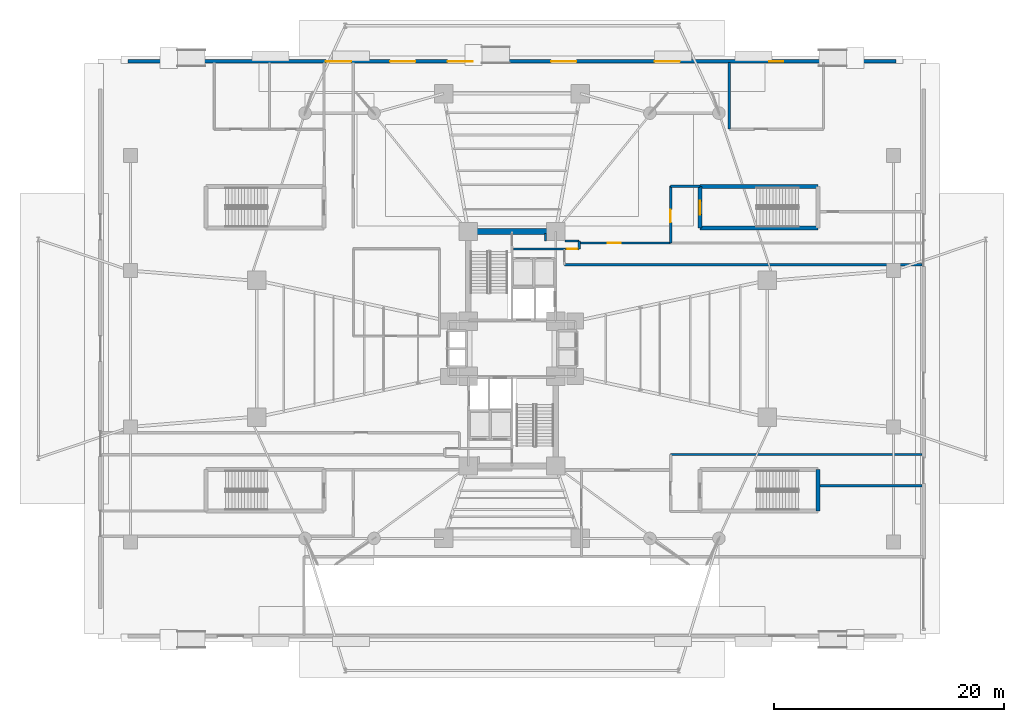
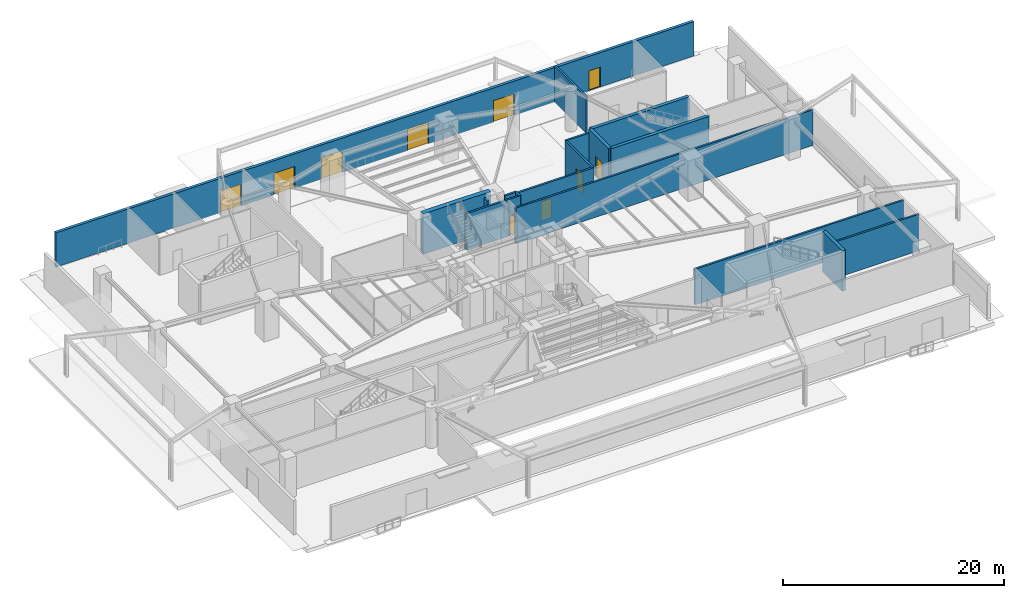
# One storey, part 19 of 31: 18 walls, 10 doors, 10 openings.
"""IFC4 building model written with IfcOpenShell, lengths in metres."""

import ifcopenshell
import ifcopenshell.guid

model = None  # the IFC model being written
_history = None  # IfcOwnerHistory: only IFC2X3 demands one
_inside = {}  # id of a spatial element -> (the spatial element, [elements in it])
_under = {}  # id of a project, library or spatial element -> (it, [spatial elements below it])
_declared = {}  # id of a project -> (the project, [libraries it declares])
_typed = {}  # id of a type object -> (the type object, [elements of that type])
_made_of = {}  # id of a material, layer set ... -> (it, [elements and type objects made of it])


def new_model(schema):
    """Start an empty IFC model of exactly this schema.

    Asked for "IFC4X3", IfcOpenShell would pick the latest addendum, in which some entities
    have other attributes; the version numbers below select the first issue.
    IFC2X3 requires an IfcOwnerHistory on every rooted entity: one is made here for all.
    """
    global model, _history
    if schema == "IFC4X3":
        model = ifcopenshell.file(schema_version=(4, 3, 0, 0))
    else:
        model = ifcopenshell.file(schema=schema)
    _inside.clear()
    _under.clear()
    _declared.clear()
    _typed.clear()
    _made_of.clear()
    _history = None
    if model.schema == "IFC2X3":
        org = make("IfcOrganization", Name="unknown")
        user = make(
            "IfcPersonAndOrganization",
            ThePerson=make("IfcPerson", FamilyName="unknown"),
            TheOrganization=org,
        )
        app = make(
            "IfcApplication",
            ApplicationDeveloper=org,
            Version="unknown",
            ApplicationFullName="unknown",
            ApplicationIdentifier="unknown",
        )
        _history = make(
            "IfcOwnerHistory",
            OwningUser=user,
            OwningApplication=app,
            ChangeAction="ADDED",
            CreationDate=0,
        )
    return model


def make(cls, **values):
    """One entity of the class cls with the attributes given. An attribute that is None is left unset."""
    return model.create_entity(
        cls, **{name: value for name, value in values.items() if value is not None}
    )


def rooted(cls, **values):
    """An entity with a GlobalId (a new one), such as an element, a storey or a relation."""
    return make(cls, GlobalId=ifcopenshell.guid.new(), OwnerHistory=_history, **values)


def si_unit(unit_type, name, prefix=None):
    """IfcSIUnit, for example si_unit("LENGTHUNIT", "METRE", prefix="MILLI")."""
    return make("IfcSIUnit", UnitType=unit_type, Prefix=prefix, Name=name)


def assignment(units):
    """IfcUnitAssignment: the units of a project."""
    return None if units is None else make("IfcUnitAssignment", Units=units)


def point(xyz):
    """IfcCartesianPoint."""
    return None if xyz is None else make("IfcCartesianPoint", Coordinates=xyz)


def direction(xyz):
    """IfcDirection."""
    return None if xyz is None else make("IfcDirection", DirectionRatios=xyz)


def frame(location, z_axis=None, x_axis=None):
    """IfcAxis2Placement3D, a coordinate frame: its origin and axes. An axis left out is left unset."""
    return make(
        "IfcAxis2Placement3D",
        Location=point(location),
        Axis=direction(z_axis),
        RefDirection=direction(x_axis),
    )


def frame_2d(location, x_axis=None):
    """IfcAxis2Placement2D, a coordinate frame in the plane: its origin and x axis."""
    return make(
        "IfcAxis2Placement2D", Location=point(location), RefDirection=direction(x_axis)
    )


def origin():
    """The frame at (0, 0, 0) with its axes left unset."""
    return frame((0.0, 0.0, 0.0))


def origin_2d():
    """The frame at (0, 0) in the plane with its x axis left unset."""
    return frame_2d((0.0, 0.0))


def place(relative_to, where):
    """IfcLocalPlacement: puts the frame where relative to a parent placement (None: the world)."""
    return make(
        "IfcLocalPlacement", PlacementRelTo=relative_to, RelativePlacement=where
    )


def context(
    kind, dimensions, precision=None, world=None, true_north=None, identifier=None
):
    """IfcGeometricRepresentationContext, for example the 3D "Model" context."""
    return make(
        "IfcGeometricRepresentationContext",
        ContextIdentifier=identifier,
        ContextType=kind,
        CoordinateSpaceDimension=dimensions,
        Precision=precision,
        WorldCoordinateSystem=world,
        TrueNorth=true_north,
    )


def subcontext(parent, identifier, kind, view, scale=None):
    """IfcGeometricRepresentationSubContext, for example "Body" below "Model"."""
    return make(
        "IfcGeometricRepresentationSubContext",
        ContextIdentifier=identifier,
        ContextType=kind,
        ParentContext=parent,
        TargetScale=scale,
        TargetView=view,
    )


def project(units=None, contexts=None):
    """IfcProject with its units and contexts."""
    return rooted(
        "IfcProject",
        Name="project",
        RepresentationContexts=contexts,
        UnitsInContext=assignment(units),
    )


def spatial(cls, under=None, at=None, **own):
    """A site, building, storey or space (cls), placed at a placement, below another one or the project."""
    s = rooted(cls, ObjectPlacement=at, **own)
    if under is not None:
        _under.setdefault(under.id(), (under, []))[1].append(s)
    return s


def profile(cls, at=None, kind="AREA", **sizes):
    """A parametric profile (cls). Its sizes go by their IFC names, for example OverallWidth=200.0."""
    return make(cls, ProfileType=kind, Position=at, **sizes)


def rectangle(**sizes):
    """IfcRectangleProfileDef."""
    return profile("IfcRectangleProfileDef", **sizes)


def extrude(swept, where, along, depth):
    """IfcExtrudedAreaSolid: the profile swept, set in the frame where, extruded along a direction by depth."""
    return make(
        "IfcExtrudedAreaSolid",
        SweptArea=swept,
        Position=where,
        ExtrudedDirection=direction(along),
        Depth=depth,
    )


def shape(context_of_items, identifier, shape_type, items):
    """IfcShapeRepresentation: the items that make up one representation, for example the "Body"."""
    return make(
        "IfcShapeRepresentation",
        ContextOfItems=context_of_items,
        RepresentationIdentifier=identifier,
        RepresentationType=shape_type,
        Items=items,
    )


def source(mapping_origin, context_of_items, identifier, shape_type, items):
    """IfcRepresentationMap: a shape defined once, which mapped items show again and again."""
    return make(
        "IfcRepresentationMap",
        MappingOrigin=mapping_origin,
        MappedRepresentation=shape(context_of_items, identifier, shape_type, items),
    )


def transform(
    local_origin,
    x_axis=None,
    y_axis=None,
    z_axis=None,
    scale=None,
    scale2=None,
    scale3=None,
    uniform=True,
):
    """IfcCartesianTransformationOperator3D, or its non-uniform kind. x_axis, y_axis, z_axis: its Axis1, 2, 3."""
    if uniform:
        return make(
            "IfcCartesianTransformationOperator3D",
            Axis1=direction(x_axis),
            Axis2=direction(y_axis),
            LocalOrigin=point(local_origin),
            Scale=scale,
            Axis3=direction(z_axis),
        )
    return make(
        "IfcCartesianTransformationOperator3DnonUniform",
        Axis1=direction(x_axis),
        Axis2=direction(y_axis),
        LocalOrigin=point(local_origin),
        Scale=scale,
        Axis3=direction(z_axis),
        Scale2=scale2,
        Scale3=scale3,
    )


def mapped(mapping_source, mapping_target):
    """IfcMappedItem: shows the shape of a source again, moved by a transform."""
    return make(
        "IfcMappedItem", MappingSource=mapping_source, MappingTarget=mapping_target
    )


def material(Name=None, Category=None):
    """IfcMaterial."""
    return make("IfcMaterial", Name=Name, Category=Category)


def layer(
    of_material, thickness, ventilated=None, Name=None, Category=None, Priority=None
):
    """IfcMaterialLayer: one layer of a wall or slab, of a material (None: an air gap)."""
    return make(
        "IfcMaterialLayer",
        Material=of_material,
        LayerThickness=thickness,
        IsVentilated=ventilated,
        Name=Name,
        Category=Category,
        Priority=Priority,
    )


def layer_set(layers, Name=None):
    """IfcMaterialLayerSet."""
    return make("IfcMaterialLayerSet", MaterialLayers=layers, LayerSetName=Name)


def made_of(thing, what):
    """Note that an element or type object is made of a material, layer set ...; save() writes the relation."""
    if what is not None:
        _made_of.setdefault(what.id(), (what, []))[1].append(thing)
    return thing


def type_object(cls, material=None, **own):
    """A type object (cls), such as IfcWallType, which elements share."""
    return made_of(rooted(cls, **own), material)


def element(
    cls,
    number,
    at=None,
    inside=None,
    cuts=None,
    type_object=None,
    material=None,
    context=None,
    identifier="Body",
    shape_type=None,
    held_by="IfcProductDefinitionShape",
    body=None,
    shapes=None,
    **own,
):
    """One element of the class cls, such as IfcWall. Its Tag is "e" and its number.

    at: its placement. inside: the storey or other place that contains it. cuts: it is an
    opening in that element (IfcRelVoidsElement). A single representation is given by context,
    identifier, shape_type and body (its items); several are given by shapes. held_by: the class
    of the entity that holds the representations. save() writes the other relations.
    """
    e = rooted(cls, Tag="e%d" % number, ObjectPlacement=at, **own)
    if body is not None:
        shapes = [shape(context, identifier, shape_type, body)]
    if shapes is not None:
        e.Representation = make(held_by, Representations=shapes)
    if inside is not None:
        _inside.setdefault(inside.id(), (inside, []))[1].append(e)
    if cuts is not None:
        rooted(
            "IfcRelVoidsElement", RelatingBuildingElement=cuts, RelatedOpeningElement=e
        )
    if type_object is not None:
        _typed.setdefault(type_object.id(), (type_object, []))[1].append(e)
    return made_of(e, material)


def fill(opening, filler):
    """IfcRelFillsElement: the door or window that sits in an opening."""
    return rooted(
        "IfcRelFillsElement",
        RelatingOpeningElement=opening,
        RelatedBuildingElement=filler,
    )


def aggregate(whole, parts):
    """IfcRelAggregates: a whole, such as a stair, and the parts it consists of."""
    return rooted("IfcRelAggregates", RelatingObject=whole, RelatedObjects=parts)


def save(model, path):
    """Write the relations noted so far, then the file.

    IfcRelAggregates (storeys below a building ...), IfcRelContainedInSpatialStructure (elements
    in a storey), IfcRelDefinesByType, IfcRelAssociatesMaterial and IfcRelDeclares: one each for
    every whole, place, type object, material and project.
    """
    for whole, parts in _under.values():
        aggregate(whole, parts)
    for where, things in _inside.values():
        rooted(
            "IfcRelContainedInSpatialStructure",
            RelatedElements=things,
            RelatingStructure=where,
        )
    for kind, things in _typed.values():
        rooted("IfcRelDefinesByType", RelatedObjects=things, RelatingType=kind)
    for what, things in _made_of.values():
        rooted("IfcRelAssociatesMaterial", RelatedObjects=things, RelatingMaterial=what)
    for by, libraries in _declared.values():
        rooted("IfcRelDeclares", RelatingContext=by, RelatedDefinitions=libraries)
    model.write(path)


model = new_model("IFC4")

# Units and contexts
model_context = context("Model", 3, precision=1e-05, world=origin(), true_north=direction((0.0, 1.0)))
body_context = subcontext(model_context, "Body", "Model", "MODEL_VIEW")
ifc_project = project(units=[si_unit("LENGTHUNIT", "METRE"), si_unit("AREAUNIT", "SQUARE_METRE"), si_unit("VOLUMEUNIT", "CUBIC_METRE"), si_unit("PLANEANGLEUNIT", "RADIAN"), si_unit("MASSUNIT", "GRAM", prefix="KILO")], contexts=[model_context])

# Site, building, storey
site_placement = place(None, origin())
site = spatial("IfcSite", under=ifc_project, at=site_placement, CompositionType="ELEMENT")
building_placement = place(site_placement, origin())
building = spatial("IfcBuilding", under=site, at=building_placement, Name="Sahyath Konkavel Grand Hotel", CompositionType="ELEMENT")
storey_placement = place(building_placement, origin())
storey = spatial("IfcBuildingStorey", under=building, at=storey_placement, Name="L00", CompositionType="ELEMENT", Elevation=0.0)

# Walls
ifc_material_1 = material(Name="Concrete C40/50", Category="concrete")
ifc_layer_1 = layer(ifc_material_1, 0.35009765625)
ifc_layer_set_1 = layer_set([ifc_layer_1], Name="Concrete C40/50")
wall_type_1 = type_object("IfcWallType", Name="CWALL-350", PredefinedType="SHEAR", material=ifc_layer_set_1)
for number, where, z_axis, x_axis, name in (
    (1, (16.35009765625, 14.10009765625, 0.0), (0.0, 0.0, 1.0), (1.0, 0.0, 0.0), "L00 Partition ST-P2-N"),
    (2, (16.35009765625, 10.52001953125, 0.0), (0.0, 0.0, 1.0), (1.0, 0.0, 0.0), "L00 Partition ST-P2-S"),
):
    element("IfcWall", number, at=place(storey_placement, frame(where, z_axis=z_axis, x_axis=x_axis)), inside=storey, type_object=wall_type_1, Name=name, PredefinedType="SHEAR", context=body_context, shape_type="SweptSolid", body=[
        extrude(rectangle(XDim=10.25, YDim=0.35009765625, at=frame_2d((5.125, 0.0))), origin(), (0.0, 0.0, 1.0), 4.47998046875),
    ])

# Wall, opening, door
wall_1_placement = place(storey_placement, frame((16.35009765625, 10.52001953125, 0.0), z_axis=(0.0, 0.0, 1.0), x_axis=(0.0, 1.0, 0.0)))
wall_1 = element("IfcWall", 3, at=wall_1_placement, inside=storey, type_object=wall_type_1, Name="L00 Partition ST-P2-W", PredefinedType="SHEAR", context=body_context, shape_type="SweptSolid", body=[
    extrude(rectangle(XDim=3.580078125, YDim=0.35009765625, at=frame_2d((1.7900390625, 0.0))), origin(), (0.0, 0.0, 1.0), 4.47998046875),
])
opening_1_placement = place(wall_1_placement, frame((1.14990234375, 0.0, 0.0)))
opening_1 = element("IfcOpeningElement", 4, at=opening_1_placement, cuts=wall_1, Name="Opening D-F12A", PredefinedType="OPENING", context=body_context, shape_type="SweptSolid", body=[
    extrude(rectangle(XDim=1.199951171875, YDim=2.199951171875, at=frame_2d((0.60009765625, 1.10009765625))), frame((0.0, 0.18505859375, 0.0), z_axis=(0.0, -1.0, 0.0), x_axis=(1.0, 0.0, 0.0)), (0.0, 0.0, 1.0), 0.3701171875),
])
ifc_material_2 = material(Name="Steel E350 Fire Door", Category="steel")
door_type_1 = type_object("IfcDoorType", Name="DR-FD120-1200", OperationType="NOTDEFINED", PredefinedType="DOOR", material=ifc_material_2)
shared_shape_1 = source(origin(), body_context, "Body", "SweptSolid", [
    extrude(rectangle(XDim=1.199951171875, YDim=0.050048828125, at=origin_2d()), origin(), (0.0, 0.0, 1.0), 2.199951171875),
])
door_1_placement = place(opening_1_placement, frame((0.60009765625, 0.0, 0.0)))
door_1 = element("IfcDoor", 5, at=door_1_placement, inside=storey, type_object=door_type_1, Name="L00 ST-P2 Fire Door", OperationType="SINGLE_SWING_LEFT", OverallHeight=2.199951171875, OverallWidth=1.199951171875, PredefinedType="DOOR", context=body_context, shape_type="MappedRepresentation", body=[
    mapped(shared_shape_1, transform((0.0, 0.0, 0.0), scale=1.0)),
])
fill(opening_1, door_1)

# Walls
wall_2_placement = place(storey_placement, frame((26.60009765625, -14.10009765625, 0.0), z_axis=(0.0, 0.0, 1.0), x_axis=(0.0, 1.0, 0.0)))
element("IfcWall", 6, at=wall_2_placement, inside=storey, type_object=wall_type_1, Name="L00 Partition ST-P4-E", PredefinedType="SHEAR", context=body_context, shape_type="SweptSolid", body=[
    extrude(rectangle(XDim=3.580078125, YDim=0.35009765625, at=frame_2d((1.7900390625, 0.0))), origin(), (0.0, 0.0, 1.0), 4.47998046875),
])
ifc_material_3 = material(Name="Concrete C70/85", Category="concrete")
ifc_layer_2 = layer(ifc_material_3, 0.5)
ifc_layer_set_2 = layer_set([ifc_layer_2], Name="Concrete C70/85")
wall_type_2 = type_object("IfcWallType", Name="CWALL-500", PredefinedType="SHEAR", material=ifc_layer_set_2)
wall_3_placement = place(storey_placement, frame((-3.550048828125, 10.199951171875, 0.0), z_axis=(0.0, 0.0, 1.0), x_axis=(1.0, 0.0, 0.0)))
element("IfcWall", 7, at=wall_3_placement, inside=storey, type_object=wall_type_2, Name="L00 North Core Shear Wall N", PredefinedType="SHEAR", context=body_context, shape_type="SweptSolid", body=[
    extrude(rectangle(XDim=7.10009765625, YDim=0.5, at=frame_2d((3.550048828125, 0.0))), origin(), (0.0, 0.0, 1.0), 4.47998046875),
])
ifc_layer_3 = layer(ifc_material_1, 0.199951171875)
ifc_layer_set_3 = layer_set([ifc_layer_3], Name="Concrete C40/50")
wall_type_3 = type_object("IfcWallType", Name="WLL-CORE-200", PredefinedType="SOLIDWALL", material=ifc_layer_set_3)
wall_4_placement = place(storey_placement, frame((18.89990234375, 19.10009765625, 0.0), z_axis=(0.0, 0.0, 1.0), x_axis=(0.0, 1.0, 0.0)))
element("IfcWall", 8, at=wall_4_placement, inside=storey, type_object=wall_type_3, Name="L00 Partition FCC-W", PredefinedType="SOLIDWALL", context=body_context, shape_type="SweptSolid", body=[
    extrude(rectangle(XDim=5.7998046875, YDim=0.199951171875, at=frame_2d((2.89990234375, 0.0))), origin(), (0.0, 0.0, 1.0), 4.030029296875),
])
wall_5_placement = place(storey_placement, frame((0.1201171875, 8.679931640625, 0.0), z_axis=(0.0, 0.0, 1.0), x_axis=(1.0, 0.0, 0.0)))
element("IfcWall", 9, at=wall_5_placement, inside=storey, type_object=wall_type_3, Name="L00 North FF Lobby Separation Wall", PredefinedType="SOLIDWALL", context=body_context, shape_type="SweptSolid", body=[
    extrude(rectangle(XDim=4.5, YDim=0.199951171875, at=frame_2d((2.25, 0.0))), origin(), (0.0, 0.0, 1.0), 4.030029296875),
])
wall_6_placement = place(storey_placement, frame((2.919921875, 9.3798828125, 0.0), z_axis=(0.0, 0.0, 1.0), x_axis=(0.0, 1.0, 0.0)))
element("IfcWall", 10, at=wall_6_placement, inside=storey, type_object=wall_type_3, Name="L00 Partition NFF-E2", PredefinedType="SOLIDWALL", context=body_context, shape_type="SweptSolid", body=[
    extrude(rectangle(XDim=0.64013671875, YDim=0.199951171875, at=frame_2d((0.320068359375, 0.0))), origin(), (0.0, 0.0, 1.0), 4.030029296875),
])
wall_7_placement = place(storey_placement, frame((4.6201171875, 9.3798828125, 0.0), z_axis=(0.0, 0.0, 1.0), x_axis=(1.0, 0.0, 0.0)))
element("IfcWall", 11, at=wall_7_placement, inside=storey, type_object=wall_type_3, Name="L00 Partition NFF-N3", PredefinedType="SOLIDWALL", context=body_context, shape_type="SweptSolid", body=[
    extrude(rectangle(XDim=1.219970703125, YDim=0.199951171875, at=frame_2d((0.60986328125, 0.0))), origin(), (0.0, 0.0, 1.0), 4.030029296875),
])
wall_8_placement = place(storey_placement, frame((5.840087890625, 8.679931640625, 0.0), z_axis=(0.0, 0.0, 1.0), x_axis=(0.0, 1.0, 0.0)))
element("IfcWall", 12, at=wall_8_placement, inside=storey, type_object=wall_type_3, Name="L00 Partition NFF-E3", PredefinedType="SOLIDWALL", context=body_context, shape_type="SweptSolid", body=[
    extrude(rectangle(XDim=0.699951171875, YDim=0.199951171875, at=frame_2d((0.35009765625, 0.0))), origin(), (0.0, 0.0, 1.0), 4.030029296875),
])

# Wall, opening, door
wall_9_placement = place(storey_placement, frame((4.6201171875, 8.679931640625, 0.0), z_axis=(0.0, 0.0, 1.0), x_axis=(1.0, 0.0, 0.0)))
wall_9 = element("IfcWall", 13, at=wall_9_placement, inside=storey, type_object=wall_type_3, Name="L00 North FF Lobby South Exit Wall", PredefinedType="SOLIDWALL", context=body_context, shape_type="SweptSolid", body=[
    extrude(rectangle(XDim=1.219970703125, YDim=0.199951171875, at=frame_2d((0.60986328125, 0.0))), origin(), (0.0, 0.0, 1.0), 4.030029296875),
])
opening_2_placement = place(wall_9_placement, frame((0.135009765625, 0.0, 0.0)))
opening_2 = element("IfcOpeningElement", 14, at=opening_2_placement, cuts=wall_9, Name="Opening D-F12C", PredefinedType="OPENING", context=body_context, shape_type="SweptSolid", body=[
    extrude(rectangle(XDim=0.949951171875, YDim=2.14990234375, at=frame_2d((0.47509765625, 1.074951171875))), frame((0.0, 0.10986328125, 0.0), z_axis=(0.0, -1.0, 0.0), x_axis=(1.0, 0.0, 0.0)), (0.0, 0.0, 1.0), 0.219970703125),
])
ifc_material_4 = material(Name="Steel E350 Plant Fire Door", Category="steel")
door_type_2 = type_object("IfcDoorType", Name="DR-FD120-950", OperationType="NOTDEFINED", PredefinedType="DOOR", material=ifc_material_4)
shared_shape_2 = source(origin(), body_context, "Body", "SweptSolid", [
    extrude(rectangle(XDim=0.949951171875, YDim=0.050048828125, at=origin_2d()), origin(), (0.0, 0.0, 1.0), 2.14990234375),
])
door_2_placement = place(opening_2_placement, frame((0.47509765625, 0.0, 0.0)))
door_2 = element("IfcDoor", 15, at=door_2_placement, inside=storey, type_object=door_type_2, Name="L00 North Firefighting Lobby Door", OperationType="SINGLE_SWING_RIGHT", OverallHeight=2.14990234375, OverallWidth=0.949951171875, PredefinedType="DOOR", context=body_context, shape_type="MappedRepresentation", body=[
    mapped(shared_shape_2, transform((0.0, 0.0, 0.0), scale=1.0)),
])
fill(opening_2, door_2)

# Wall
wall_10_placement = place(storey_placement, frame((4.56005859375, 7.300048828125, 0.0), z_axis=(0.0, 0.0, 1.0), x_axis=(1.0, 0.0, 0.0)))
element("IfcWall", 16, at=wall_10_placement, inside=storey, type_object=wall_type_3, Name="L00 Partition L00-EXP-ST1S", PredefinedType="SOLIDWALL", context=body_context, shape_type="SweptSolid", body=[
    extrude(rectangle(XDim=31.119873046875, YDim=0.199951171875, at=frame_2d((15.56005859375, 0.0))), origin(), (0.0, 0.0, 1.0), 3.949951171875),
])

# Wall, opening, door
wall_11_placement = place(storey_placement, frame((5.840087890625, 9.199951171875, 0.0), z_axis=(0.0, 0.0, 1.0), x_axis=(1.0, 0.0, 0.0)))
wall_11 = element("IfcWall", 17, at=wall_11_placement, inside=storey, type_object=wall_type_3, Name="L00 Partition L00-EXP-ST1N", PredefinedType="SOLIDWALL", context=body_context, shape_type="SweptSolid", body=[
    extrude(rectangle(XDim=7.9599609375, YDim=0.199951171875, at=frame_2d((3.97998046875, 0.0))), origin(), (0.0, 0.0, 1.0), 4.030029296875),
])
opening_3_placement = place(wall_11_placement, frame((2.5, 0.0, 0.0)))
opening_3 = element("IfcOpeningElement", 18, at=opening_3_placement, cuts=wall_11, Name="Opening D-F12B", PredefinedType="OPENING", context=body_context, shape_type="SweptSolid", body=[
    extrude(rectangle(XDim=1.10009765625, YDim=2.14990234375, at=frame_2d((0.550048828125, 1.074951171875))), frame((0.0, 0.10986328125, 0.0), z_axis=(0.0, -1.0, 0.0), x_axis=(1.0, 0.0, 0.0)), (0.0, 0.0, 1.0), 0.219970703125),
])
ifc_material_5 = material(Name="Steel E350 Smokeproof Fire Door", Category="steel")
door_type_3 = type_object("IfcDoorType", Name="DR-FD120-1100", OperationType="NOTDEFINED", PredefinedType="DOOR", material=ifc_material_5)
shared_shape_3 = source(origin(), body_context, "Body", "SweptSolid", [
    extrude(rectangle(XDim=1.10009765625, YDim=0.050048828125, at=origin_2d()), origin(), (0.0, 0.0, 1.0), 2.14990234375),
])
door_3_placement = place(opening_3_placement, frame((0.550048828125, 0.0, 0.0)))
door_3 = element("IfcDoor", 19, at=door_3_placement, inside=storey, type_object=door_type_3, Name="L00 Door L00-EXP-ST1L", OperationType="SINGLE_SWING_LEFT", OverallHeight=2.14990234375, OverallWidth=1.10009765625, PredefinedType="DOOR", context=body_context, shape_type="MappedRepresentation", body=[
    mapped(shared_shape_3, transform((0.0, 0.0, 0.0), scale=1.0)),
])
fill(opening_3, door_3)

wall_12_placement = place(storey_placement, frame((13.800048828125, 9.199951171875, 0.0), z_axis=(0.0, 0.0, 1.0), x_axis=(0.0, 1.0, 0.0)))
wall_12 = element("IfcWall", 20, at=wall_12_placement, inside=storey, type_object=wall_type_3, Name="L00 Partition L00-EXP2-W", PredefinedType="SOLIDWALL", context=body_context, shape_type="SweptSolid", body=[
    extrude(rectangle(XDim=4.949951171875, YDim=0.199951171875, at=frame_2d((2.47509765625, 0.0))), origin(), (0.0, 0.0, 1.0), 4.030029296875),
])
opening_4_placement = place(wall_12_placement, frame((1.800048828125, 0.0, 0.0)))
opening_4 = element("IfcOpeningElement", 21, at=opening_4_placement, cuts=wall_12, Name="Opening D-F12B", PredefinedType="OPENING", context=body_context, shape_type="SweptSolid", body=[
    extrude(rectangle(XDim=1.10009765625, YDim=2.14990234375, at=frame_2d((0.550048828125, 1.074951171875))), frame((0.0, 0.10986328125, 0.0), z_axis=(0.0, -1.0, 0.0), x_axis=(1.0, 0.0, 0.0)), (0.0, 0.0, 1.0), 0.219970703125),
])
door_4_placement = place(opening_4_placement, frame((0.550048828125, 0.0, 0.0)))
door_4 = element("IfcDoor", 22, at=door_4_placement, inside=storey, type_object=door_type_3, Name="L00 Door L00-EXP2-LOB", OperationType="SINGLE_SWING_RIGHT", OverallHeight=2.14990234375, OverallWidth=1.10009765625, PredefinedType="DOOR", context=body_context, shape_type="MappedRepresentation", body=[
    mapped(shared_shape_3, transform((0.0, 0.0, 0.0), scale=1.0)),
])
fill(opening_4, door_4)

# Walls
wall_13_placement = place(storey_placement, frame((13.800048828125, 14.14990234375, 0.0), z_axis=(0.0, 0.0, 1.0), x_axis=(1.0, 0.0, 0.0)))
element("IfcWall", 23, at=wall_13_placement, inside=storey, type_object=wall_type_3, Name="L00 Partition L00-EXP2-N0", PredefinedType="SOLIDWALL", context=body_context, shape_type="SweptSolid", body=[
    extrude(rectangle(XDim=2.550048828125, YDim=0.199951171875, at=frame_2d((1.27490234375, 0.0))), origin(), (0.0, 0.0, 1.0), 4.030029296875),
])
wall_14_placement = place(storey_placement, frame((13.800048828125, -9.199951171875, 0.0), z_axis=(0.0, 0.0, 1.0), x_axis=(1.0, 0.0, 0.0)))
element("IfcWall", 24, at=wall_14_placement, inside=storey, type_object=wall_type_3, Name="L00 Partition L00-EXP4-N", PredefinedType="SOLIDWALL", context=body_context, shape_type="SweptSolid", body=[
    extrude(rectangle(XDim=21.8798828125, YDim=0.199951171875, at=frame_2d((10.93994140625, 0.0))), origin(), (0.0, 0.0, 1.0), 3.949951171875),
])
wall_15_placement = place(storey_placement, frame((26.64990234375, -11.919921875, 0.0), z_axis=(0.0, 0.0, 1.0), x_axis=(1.0, 0.0, 0.0)))
element("IfcWall", 25, at=wall_15_placement, inside=storey, type_object=wall_type_3, Name="L00 Partition L00-EXP4-S", PredefinedType="SOLIDWALL", context=body_context, shape_type="SweptSolid", body=[
    extrude(rectangle(XDim=9.030029296875, YDim=0.199951171875, at=frame_2d((4.51513671875, 0.0))), origin(), (0.0, 0.0, 1.0), 4.030029296875),
])

# Wall, openings, doors
ifc_material_6 = material(Name="Warm Buff Sandstone Insulated Concrete C40/50", Category="masonry")
ifc_layer_4 = layer(ifc_material_6, 0.300048828125)
ifc_layer_set_4 = layer_set([ifc_layer_4], Name="Warm Buff Sandstone Insulated Concrete C40/50")
wall_type_4 = type_object("IfcWallType", Name="WLL-L00-PORTAL", PredefinedType="STANDARD", material=ifc_layer_set_4)
wall_16_placement = place(storey_placement, frame((-33.39990234375, 25.0, 0.0), z_axis=(0.0, 0.0, 1.0), x_axis=(1.0, 0.0, 0.0)))
wall_16 = element("IfcWall", 26, at=wall_16_placement, inside=storey, type_object=wall_type_4, Name="L00 North Sandstone Colonnade Portal Wall", PredefinedType="STANDARD", context=body_context, shape_type="SweptSolid", body=[
    extrude(rectangle(XDim=66.7998046875, YDim=0.300048828125, at=frame_2d((33.39990234375, 0.0))), origin(), (0.0, 0.0, 1.0), 3.800048828125),
])
opening_5_placement = place(wall_16_placement, frame((17.199951171875, 0.0, 0.0)))
opening_5 = element("IfcOpeningElement", 27, at=opening_5_placement, cuts=wall_16, Name="Opening D-EX22", PredefinedType="OPENING", context=body_context, shape_type="SweptSolid", body=[
    extrude(rectangle(XDim=2.199951171875, YDim=2.39990234375, at=frame_2d((1.10009765625, 1.199951171875))), frame((0.0, 0.16015625, 0.0), z_axis=(0.0, -1.0, 0.0), x_axis=(1.0, 0.0, 0.0)), (0.0, 0.0, 1.0), 0.320068359375),
])
opening_6_placement = place(wall_16_placement, frame((22.800048828125, 0.0, 0.0)))
opening_6 = element("IfcOpeningElement", 28, at=opening_6_placement, cuts=wall_16, Name="Opening D-EX22", PredefinedType="OPENING", context=body_context, shape_type="SweptSolid", body=[
    extrude(rectangle(XDim=2.199951171875, YDim=2.39990234375, at=frame_2d((1.10009765625, 1.199951171875))), frame((0.0, 0.16015625, 0.0), z_axis=(0.0, -1.0, 0.0), x_axis=(1.0, 0.0, 0.0)), (0.0, 0.0, 1.0), 0.320068359375),
])
opening_7_placement = place(wall_16_placement, frame((27.800048828125, 0.0, 0.0)))
opening_7 = element("IfcOpeningElement", 29, at=opening_7_placement, cuts=wall_16, Name="Opening D-EX22", PredefinedType="OPENING", context=body_context, shape_type="SweptSolid", body=[
    extrude(rectangle(XDim=2.199951171875, YDim=2.39990234375, at=frame_2d((1.10009765625, 1.199951171875))), frame((0.0, 0.16015625, 0.0), z_axis=(0.0, -1.0, 0.0), x_axis=(1.0, 0.0, 0.0)), (0.0, 0.0, 1.0), 0.320068359375),
])
opening_8_placement = place(wall_16_placement, frame((36.800048828125, 0.0, 0.0)))
opening_8 = element("IfcOpeningElement", 30, at=opening_8_placement, cuts=wall_16, Name="Opening D-EX22", PredefinedType="OPENING", context=body_context, shape_type="SweptSolid", body=[
    extrude(rectangle(XDim=2.199951171875, YDim=2.39990234375, at=frame_2d((1.10009765625, 1.199951171875))), frame((0.0, 0.16015625, 0.0), z_axis=(0.0, -1.0, 0.0), x_axis=(1.0, 0.0, 0.0)), (0.0, 0.0, 1.0), 0.320068359375),
])
opening_9_placement = place(wall_16_placement, frame((45.800048828125, 0.0, 0.0)))
opening_9 = element("IfcOpeningElement", 31, at=opening_9_placement, cuts=wall_16, Name="Opening D-EX22", PredefinedType="OPENING", context=body_context, shape_type="SweptSolid", body=[
    extrude(rectangle(XDim=2.199951171875, YDim=2.39990234375, at=frame_2d((1.10009765625, 1.199951171875))), frame((0.0, 0.16015625, 0.0), z_axis=(0.0, -1.0, 0.0), x_axis=(1.0, 0.0, 0.0)), (0.0, 0.0, 1.0), 0.320068359375),
])
opening_10_placement = place(wall_16_placement, frame((55.800048828125, 0.0, 0.0)))
opening_10 = element("IfcOpeningElement", 32, at=opening_10_placement, cuts=wall_16, Name="Opening D-FC12", PredefinedType="OPENING", context=body_context, shape_type="SweptSolid", body=[
    extrude(rectangle(XDim=1.199951171875, YDim=2.199951171875, at=frame_2d((0.60009765625, 1.10009765625))), frame((0.0, 0.16015625, 0.0), z_axis=(0.0, -1.0, 0.0), x_axis=(1.0, 0.0, 0.0)), (0.0, 0.0, 1.0), 0.320068359375),
])
ifc_material_7 = material(Name="Anodised Bronze Aluminium and Low-E Glazing", Category="aluminium")
door_type_4 = type_object("IfcDoorType", Name="DR-EXIT-2200", OperationType="NOTDEFINED", PredefinedType="DOOR", material=ifc_material_7)
shared_shape_4 = source(origin(), body_context, "Body", "SweptSolid", [
    extrude(rectangle(XDim=2.199951171875, YDim=0.050048828125, at=origin_2d()), origin(), (0.0, 0.0, 1.0), 2.39990234375),
])
door_5_placement = place(opening_5_placement, frame((1.10009765625, 0.0, 0.0)))
door_5 = element("IfcDoor", 33, at=door_5_placement, inside=storey, type_object=door_type_4, Name="L00 North Pedestrian Final Exit Door N1", OperationType="DOUBLE_DOOR_SINGLE_SWING", OverallHeight=2.39990234375, OverallWidth=2.199951171875, PredefinedType="DOOR", context=body_context, shape_type="MappedRepresentation", body=[
    mapped(shared_shape_4, transform((0.0, 0.0, 0.0), scale=1.0)),
])
fill(opening_5, door_5)
door_6_placement = place(opening_6_placement, frame((1.10009765625, 0.0, 0.0)))
door_6 = element("IfcDoor", 34, at=door_6_placement, inside=storey, type_object=door_type_4, Name="L00 North Pedestrian Final Exit Door N2", OperationType="DOUBLE_DOOR_SINGLE_SWING", OverallHeight=2.39990234375, OverallWidth=2.199951171875, PredefinedType="DOOR", context=body_context, shape_type="MappedRepresentation", body=[
    mapped(shared_shape_4, transform((0.0, 0.0, 0.0), scale=1.0)),
])
fill(opening_6, door_6)
door_7_placement = place(opening_7_placement, frame((1.10009765625, 0.0, 0.0)))
door_7 = element("IfcDoor", 35, at=door_7_placement, inside=storey, type_object=door_type_4, Name="L00 North Pedestrian Final Exit Door N3", OperationType="DOUBLE_DOOR_SINGLE_SWING", OverallHeight=2.39990234375, OverallWidth=2.199951171875, PredefinedType="DOOR", context=body_context, shape_type="MappedRepresentation", body=[
    mapped(shared_shape_4, transform((0.0, 0.0, 0.0), scale=1.0)),
])
fill(opening_7, door_7)
door_8_placement = place(opening_8_placement, frame((1.10009765625, 0.0, 0.0)))
door_8 = element("IfcDoor", 36, at=door_8_placement, inside=storey, type_object=door_type_4, Name="L00 North Pedestrian Final Exit Door N4", OperationType="DOUBLE_DOOR_SINGLE_SWING", OverallHeight=2.39990234375, OverallWidth=2.199951171875, PredefinedType="DOOR", context=body_context, shape_type="MappedRepresentation", body=[
    mapped(shared_shape_4, transform((0.0, 0.0, 0.0), scale=1.0)),
])
fill(opening_8, door_8)
door_9_placement = place(opening_9_placement, frame((1.10009765625, 0.0, 0.0)))
door_9 = element("IfcDoor", 37, at=door_9_placement, inside=storey, type_object=door_type_4, Name="L00 North Pedestrian Final Exit Door N5", OperationType="DOUBLE_DOOR_SINGLE_SWING", OverallHeight=2.39990234375, OverallWidth=2.199951171875, PredefinedType="DOOR", context=body_context, shape_type="MappedRepresentation", body=[
    mapped(shared_shape_4, transform((0.0, 0.0, 0.0), scale=1.0)),
])
fill(opening_9, door_9)
ifc_material_8 = material(Name="Steel E350", Category="steel")
door_type_5 = type_object("IfcDoorType", Name="DR-FCC-EXT-1200", OperationType="NOTDEFINED", PredefinedType="DOOR", material=ifc_material_8)
door_10_placement = place(opening_10_placement, frame((0.60009765625, 0.0, 0.0)))
door_10 = element("IfcDoor", 38, at=door_10_placement, inside=storey, type_object=door_type_5, Name="L00 Fire Command Centre Exterior Access Door", OperationType="SINGLE_SWING_LEFT", OverallHeight=2.199951171875, OverallWidth=1.199951171875, PredefinedType="DOOR", context=body_context, shape_type="MappedRepresentation", body=[
    mapped(shared_shape_1, transform((0.0, 0.0, 0.0), scale=1.0)),
])
fill(opening_10, door_10)

save(model, "model.ifc")
